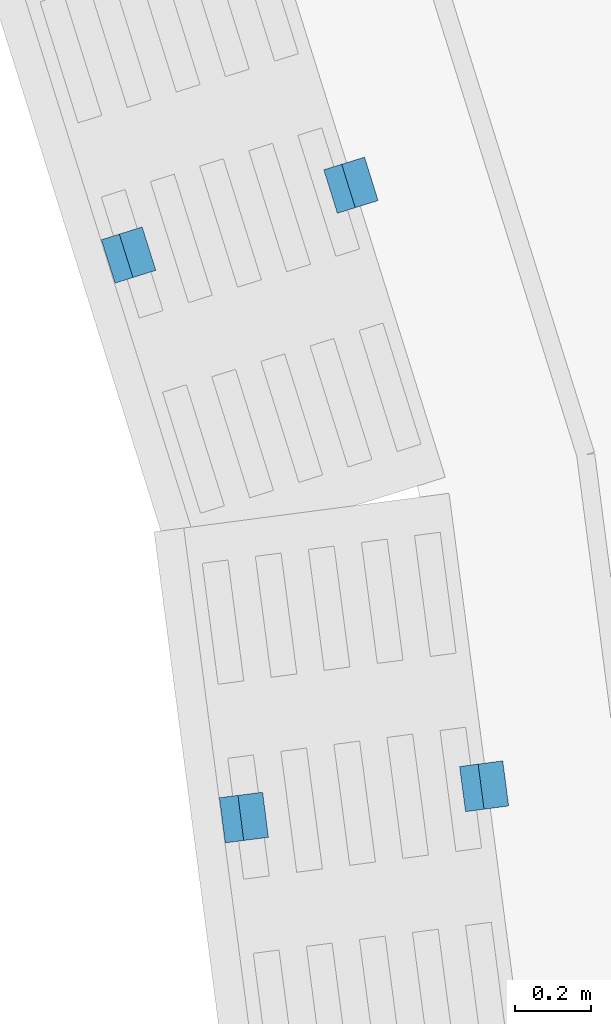
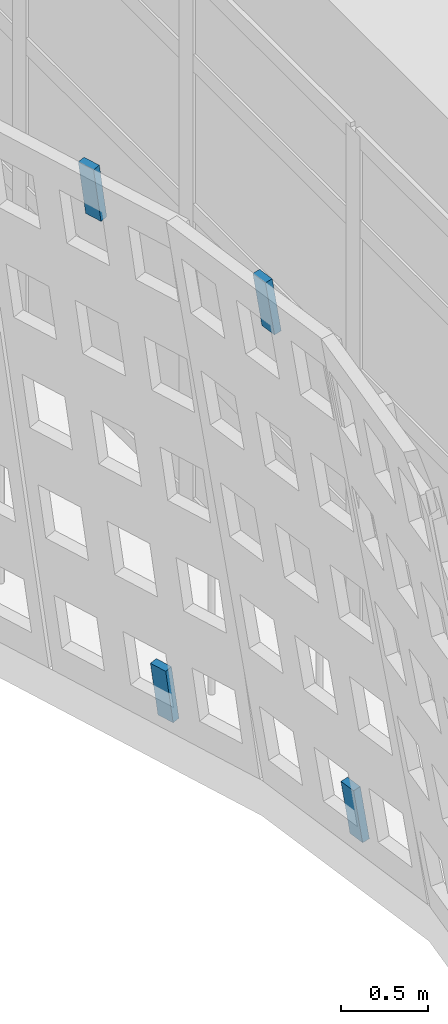
# One storey, part 116 of 163: 4 discrete accessories.
"""IFC4 building model written with IfcOpenShell, lengths in metres."""

from ifc_helpers import new_model, si_unit, direction, frame, origin, origin_2d, place, context, subcontext, project, spatial, rectangle, extrude, material, material_profile, profile_set, type_object, element, save


model = new_model("IFC4")

# Units and contexts
model_context = context("Model", 3, precision=1e-05, world=origin(), true_north=direction((0.0, 1.0)))
body_context = subcontext(model_context, "Body", "Model", "MODEL_VIEW")
ifc_project = project(units=[si_unit("LENGTHUNIT", "METRE"), si_unit("AREAUNIT", "SQUARE_METRE"), si_unit("VOLUMEUNIT", "CUBIC_METRE"), si_unit("PLANEANGLEUNIT", "RADIAN"), si_unit("MASSUNIT", "GRAM", prefix="KILO")], contexts=[model_context])

# Site, building, storey
site_placement = place(None, origin())
site = spatial("IfcSite", under=ifc_project, at=site_placement, CompositionType="ELEMENT")
building_placement = place(site_placement, origin())
building = spatial("IfcBuilding", under=site, at=building_placement, Name="Rain Tree Exposition and Congress Centre", CompositionType="ELEMENT")
storey_placement = place(building_placement, frame((0.0, 0.0, 10.5)))
storey = spatial("IfcBuildingStorey", under=building, at=storey_placement, Name="L02", CompositionType="ELEMENT", Elevation=10.5)

# Discrete accessories
ifc_material = material(Name="Steel S355J2", Category="steel")
ifc_material_profile = material_profile(ifc_material, rectangle(XDim=0.1201171875, YDim=0.050048828125, at=origin_2d()), Name="Flat bar 120x50")
ifc_profile_set = profile_set([ifc_material_profile], Name="Steel S355J2")
discrete_accessory_type = type_object("IfcDiscreteAccessoryType", Name="Screen bracket 120x50", PredefinedType="BRACKET", material=ifc_profile_set)
for number, where, z_axis, x_axis, name in (
    (1, (-2.12841796875, 27.4091796875, 3.85107421875), (-0.150738237635, -0.047601548727, 0.987426997946), (0.301131367937, -0.953582665134, 0.0), "wing/bracket/L02/1171t"),
    (2, (-1.541259765625, 27.593505859375, 0.00390625), (-0.150742588713, -0.04699262887, 0.987455500152), (0.297614686764, -0.954686073127, 0.0), "wing/bracket/L02/1171b"),
):
    element("IfcDiscreteAccessory", number, at=place(storey_placement, frame(where, z_axis=z_axis, x_axis=x_axis)), inside=storey, type_object=discrete_accessory_type, Name=name, PredefinedType="BRACKET", context=body_context, shape_type="SweptSolid", body=[
        extrude(rectangle(XDim=0.1201171875, YDim=0.050048828125, at=origin_2d()), origin(), (0.0, 0.0, 1.0), 0.400146484375),
    ])
for number, where, z_axis, x_axis, name in (
    (3, (-1.821533203125, 25.918212890625, 3.851318359375), (-0.162977636468, -0.020753706516, 0.986411462665), (0.12632075382, -0.991989449114, 0.0), "wing/bracket/L02/1181t"),
    (4, (-1.187255859375, 26.0009765625, 0.004150390625), (-0.162381270396, -0.021365956631, 0.986496740452), (0.130454512571, -0.991454295543, 0.0), "wing/bracket/L02/1181b"),
):
    element("IfcDiscreteAccessory", number, at=place(storey_placement, frame(where, z_axis=z_axis, x_axis=x_axis)), inside=storey, type_object=discrete_accessory_type, Name=name, PredefinedType="BRACKET", context=body_context, shape_type="SweptSolid", body=[
        extrude(rectangle(XDim=0.1201171875, YDim=0.050048828125, at=origin_2d()), origin(), (0.0, 0.0, 1.0), 0.39990234375),
    ])

save(model, "model.ifc")
